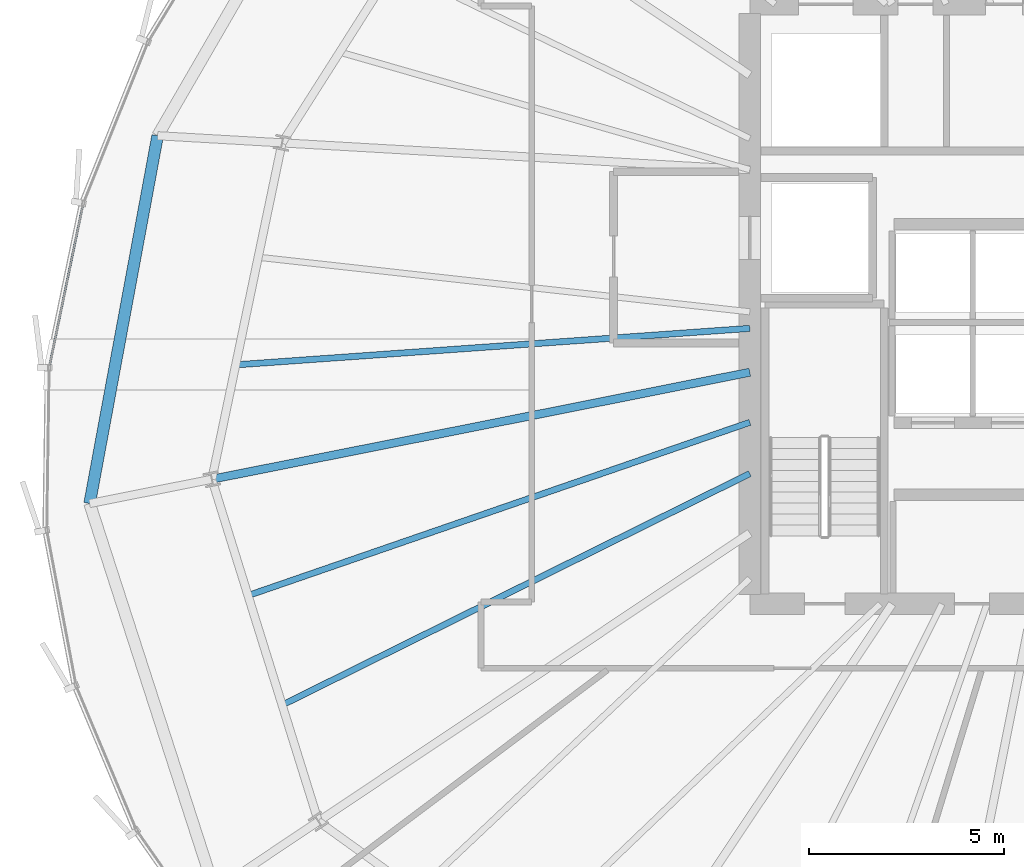
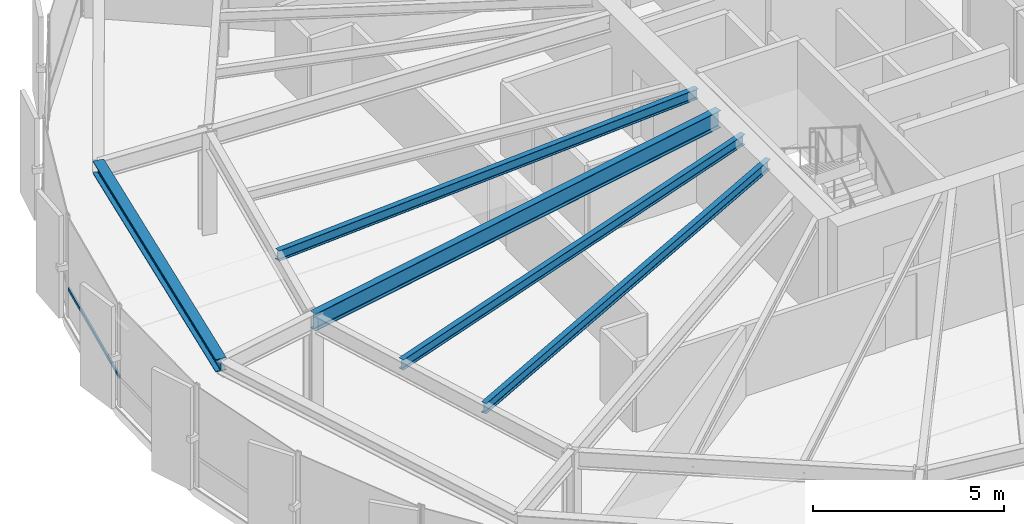
# One storey, part 9 of 36: 5 beams, 1 member, 1 element without a shape of its own.
"""IFC4 building model written with IfcOpenShell, lengths in metres."""

import ifcopenshell
import ifcopenshell.guid

model = None  # the IFC model being written
_history = None  # IfcOwnerHistory: only IFC2X3 demands one
_inside = {}  # id of a spatial element -> (the spatial element, [elements in it])
_under = {}  # id of a project, library or spatial element -> (it, [spatial elements below it])
_declared = {}  # id of a project -> (the project, [libraries it declares])
_typed = {}  # id of a type object -> (the type object, [elements of that type])
_made_of = {}  # id of a material, layer set ... -> (it, [elements and type objects made of it])


def new_model(schema):
    """Start an empty IFC model of exactly this schema.

    Asked for "IFC4X3", IfcOpenShell would pick the latest addendum, in which some entities
    have other attributes; the version numbers below select the first issue.
    IFC2X3 requires an IfcOwnerHistory on every rooted entity: one is made here for all.
    """
    global model, _history
    if schema == "IFC4X3":
        model = ifcopenshell.file(schema_version=(4, 3, 0, 0))
    else:
        model = ifcopenshell.file(schema=schema)
    _inside.clear()
    _under.clear()
    _declared.clear()
    _typed.clear()
    _made_of.clear()
    _history = None
    if model.schema == "IFC2X3":
        org = make("IfcOrganization", Name="unknown")
        user = make(
            "IfcPersonAndOrganization",
            ThePerson=make("IfcPerson", FamilyName="unknown"),
            TheOrganization=org,
        )
        app = make(
            "IfcApplication",
            ApplicationDeveloper=org,
            Version="unknown",
            ApplicationFullName="unknown",
            ApplicationIdentifier="unknown",
        )
        _history = make(
            "IfcOwnerHistory",
            OwningUser=user,
            OwningApplication=app,
            ChangeAction="ADDED",
            CreationDate=0,
        )
    return model


def make(cls, **values):
    """One entity of the class cls with the attributes given. An attribute that is None is left unset."""
    return model.create_entity(
        cls, **{name: value for name, value in values.items() if value is not None}
    )


def rooted(cls, **values):
    """An entity with a GlobalId (a new one), such as an element, a storey or a relation."""
    return make(cls, GlobalId=ifcopenshell.guid.new(), OwnerHistory=_history, **values)


def si_unit(unit_type, name, prefix=None):
    """IfcSIUnit, for example si_unit("LENGTHUNIT", "METRE", prefix="MILLI")."""
    return make("IfcSIUnit", UnitType=unit_type, Prefix=prefix, Name=name)


def assignment(units):
    """IfcUnitAssignment: the units of a project."""
    return None if units is None else make("IfcUnitAssignment", Units=units)


def point(xyz):
    """IfcCartesianPoint."""
    return None if xyz is None else make("IfcCartesianPoint", Coordinates=xyz)


def direction(xyz):
    """IfcDirection."""
    return None if xyz is None else make("IfcDirection", DirectionRatios=xyz)


def frame(location, z_axis=None, x_axis=None):
    """IfcAxis2Placement3D, a coordinate frame: its origin and axes. An axis left out is left unset."""
    return make(
        "IfcAxis2Placement3D",
        Location=point(location),
        Axis=direction(z_axis),
        RefDirection=direction(x_axis),
    )


def frame_2d(location, x_axis=None):
    """IfcAxis2Placement2D, a coordinate frame in the plane: its origin and x axis."""
    return make(
        "IfcAxis2Placement2D", Location=point(location), RefDirection=direction(x_axis)
    )


def origin():
    """The frame at (0, 0, 0) with its axes left unset."""
    return frame((0.0, 0.0, 0.0))


def origin_2d():
    """The frame at (0, 0) in the plane with its x axis left unset."""
    return frame_2d((0.0, 0.0))


def place(relative_to, where):
    """IfcLocalPlacement: puts the frame where relative to a parent placement (None: the world)."""
    return make(
        "IfcLocalPlacement", PlacementRelTo=relative_to, RelativePlacement=where
    )


def context(
    kind, dimensions, precision=None, world=None, true_north=None, identifier=None
):
    """IfcGeometricRepresentationContext, for example the 3D "Model" context."""
    return make(
        "IfcGeometricRepresentationContext",
        ContextIdentifier=identifier,
        ContextType=kind,
        CoordinateSpaceDimension=dimensions,
        Precision=precision,
        WorldCoordinateSystem=world,
        TrueNorth=true_north,
    )


def subcontext(parent, identifier, kind, view, scale=None):
    """IfcGeometricRepresentationSubContext, for example "Body" below "Model"."""
    return make(
        "IfcGeometricRepresentationSubContext",
        ContextIdentifier=identifier,
        ContextType=kind,
        ParentContext=parent,
        TargetScale=scale,
        TargetView=view,
    )


def project(units=None, contexts=None):
    """IfcProject with its units and contexts."""
    return rooted(
        "IfcProject",
        Name="project",
        RepresentationContexts=contexts,
        UnitsInContext=assignment(units),
    )


def spatial(cls, under=None, at=None, **own):
    """A site, building, storey or space (cls), placed at a placement, below another one or the project."""
    s = rooted(cls, ObjectPlacement=at, **own)
    if under is not None:
        _under.setdefault(under.id(), (under, []))[1].append(s)
    return s


def profile(cls, at=None, kind="AREA", **sizes):
    """A parametric profile (cls). Its sizes go by their IFC names, for example OverallWidth=200.0."""
    return make(cls, ProfileType=kind, Position=at, **sizes)


def hollow_rectangle(**sizes):
    """IfcRectangleHollowProfileDef."""
    return profile("IfcRectangleHollowProfileDef", **sizes)


def i_section(**sizes):
    """IfcIShapeProfileDef."""
    return profile("IfcIShapeProfileDef", **sizes)


def extrude(swept, where, along, depth):
    """IfcExtrudedAreaSolid: the profile swept, set in the frame where, extruded along a direction by depth."""
    return make(
        "IfcExtrudedAreaSolid",
        SweptArea=swept,
        Position=where,
        ExtrudedDirection=direction(along),
        Depth=depth,
    )


def shape(context_of_items, identifier, shape_type, items):
    """IfcShapeRepresentation: the items that make up one representation, for example the "Body"."""
    return make(
        "IfcShapeRepresentation",
        ContextOfItems=context_of_items,
        RepresentationIdentifier=identifier,
        RepresentationType=shape_type,
        Items=items,
    )


def source(mapping_origin, context_of_items, identifier, shape_type, items):
    """IfcRepresentationMap: a shape defined once, which mapped items show again and again."""
    return make(
        "IfcRepresentationMap",
        MappingOrigin=mapping_origin,
        MappedRepresentation=shape(context_of_items, identifier, shape_type, items),
    )


def transform(
    local_origin,
    x_axis=None,
    y_axis=None,
    z_axis=None,
    scale=None,
    scale2=None,
    scale3=None,
    uniform=True,
):
    """IfcCartesianTransformationOperator3D, or its non-uniform kind. x_axis, y_axis, z_axis: its Axis1, 2, 3."""
    if uniform:
        return make(
            "IfcCartesianTransformationOperator3D",
            Axis1=direction(x_axis),
            Axis2=direction(y_axis),
            LocalOrigin=point(local_origin),
            Scale=scale,
            Axis3=direction(z_axis),
        )
    return make(
        "IfcCartesianTransformationOperator3DnonUniform",
        Axis1=direction(x_axis),
        Axis2=direction(y_axis),
        LocalOrigin=point(local_origin),
        Scale=scale,
        Axis3=direction(z_axis),
        Scale2=scale2,
        Scale3=scale3,
    )


def mapped(mapping_source, mapping_target):
    """IfcMappedItem: shows the shape of a source again, moved by a transform."""
    return make(
        "IfcMappedItem", MappingSource=mapping_source, MappingTarget=mapping_target
    )


def material(Name=None, Category=None):
    """IfcMaterial."""
    return make("IfcMaterial", Name=Name, Category=Category)


def layer(
    of_material, thickness, ventilated=None, Name=None, Category=None, Priority=None
):
    """IfcMaterialLayer: one layer of a wall or slab, of a material (None: an air gap)."""
    return make(
        "IfcMaterialLayer",
        Material=of_material,
        LayerThickness=thickness,
        IsVentilated=ventilated,
        Name=Name,
        Category=Category,
        Priority=Priority,
    )


def layer_set(layers, Name=None):
    """IfcMaterialLayerSet."""
    return make("IfcMaterialLayerSet", MaterialLayers=layers, LayerSetName=Name)


def material_profile(
    of_material, cross_section, Name=None, Category=None, Priority=None
):
    """IfcMaterialProfile: a cross section and its material."""
    return make(
        "IfcMaterialProfile",
        Name=Name,
        Material=of_material,
        Profile=cross_section,
        Priority=Priority,
        Category=Category,
    )


def profile_set(profiles, Name=None, composite=None):
    """IfcMaterialProfileSet."""
    return make(
        "IfcMaterialProfileSet",
        Name=Name,
        MaterialProfiles=profiles,
        CompositeProfile=composite,
    )


def made_of(thing, what):
    """Note that an element or type object is made of a material, layer set ...; save() writes the relation."""
    if what is not None:
        _made_of.setdefault(what.id(), (what, []))[1].append(thing)
    return thing


def type_object(cls, material=None, **own):
    """A type object (cls), such as IfcWallType, which elements share."""
    return made_of(rooted(cls, **own), material)


def element(
    cls,
    number,
    at=None,
    inside=None,
    cuts=None,
    type_object=None,
    material=None,
    context=None,
    identifier="Body",
    shape_type=None,
    held_by="IfcProductDefinitionShape",
    body=None,
    shapes=None,
    **own,
):
    """One element of the class cls, such as IfcWall. Its Tag is "e" and its number.

    at: its placement. inside: the storey or other place that contains it. cuts: it is an
    opening in that element (IfcRelVoidsElement). A single representation is given by context,
    identifier, shape_type and body (its items); several are given by shapes. held_by: the class
    of the entity that holds the representations. save() writes the other relations.
    """
    e = rooted(cls, Tag="e%d" % number, ObjectPlacement=at, **own)
    if body is not None:
        shapes = [shape(context, identifier, shape_type, body)]
    if shapes is not None:
        e.Representation = make(held_by, Representations=shapes)
    if inside is not None:
        _inside.setdefault(inside.id(), (inside, []))[1].append(e)
    if cuts is not None:
        rooted(
            "IfcRelVoidsElement", RelatingBuildingElement=cuts, RelatedOpeningElement=e
        )
    if type_object is not None:
        _typed.setdefault(type_object.id(), (type_object, []))[1].append(e)
    return made_of(e, material)


def aggregate(whole, parts):
    """IfcRelAggregates: a whole, such as a stair, and the parts it consists of."""
    return rooted("IfcRelAggregates", RelatingObject=whole, RelatedObjects=parts)


def save(model, path):
    """Write the relations noted so far, then the file.

    IfcRelAggregates (storeys below a building ...), IfcRelContainedInSpatialStructure (elements
    in a storey), IfcRelDefinesByType, IfcRelAssociatesMaterial and IfcRelDeclares: one each for
    every whole, place, type object, material and project.
    """
    for whole, parts in _under.values():
        aggregate(whole, parts)
    for where, things in _inside.values():
        rooted(
            "IfcRelContainedInSpatialStructure",
            RelatedElements=things,
            RelatingStructure=where,
        )
    for kind, things in _typed.values():
        rooted("IfcRelDefinesByType", RelatedObjects=things, RelatingType=kind)
    for what, things in _made_of.values():
        rooted("IfcRelAssociatesMaterial", RelatedObjects=things, RelatingMaterial=what)
    for by, libraries in _declared.values():
        rooted("IfcRelDeclares", RelatingContext=by, RelatedDefinitions=libraries)
    model.write(path)


model = new_model("IFC4")

# Units and contexts
model_context = context("Model", 3, precision=1e-05, world=origin(), true_north=direction((0.0, 1.0)))
body_context = subcontext(model_context, "Body", "Model", "MODEL_VIEW")
ifc_project = project(units=[si_unit("LENGTHUNIT", "METRE"), si_unit("AREAUNIT", "SQUARE_METRE"), si_unit("VOLUMEUNIT", "CUBIC_METRE"), si_unit("PLANEANGLEUNIT", "RADIAN"), si_unit("MASSUNIT", "GRAM", prefix="KILO"), si_unit("THERMODYNAMICTEMPERATUREUNIT", "KELVIN")], contexts=[model_context])

# Site, building, storey
site_placement = place(None, origin())
site = spatial("IfcSite", under=ifc_project, at=site_placement, CompositionType="ELEMENT")
building_placement = place(site_placement, origin())
building = spatial("IfcBuilding", under=site, at=building_placement, Name="Kethvar Cultural Tower", CompositionType="ELEMENT")
storey_placement = place(building_placement, frame((0.0, 0.0, 150.10009765625)))
storey = spatial("IfcBuildingStorey", under=building, at=storey_placement, Name="L38", CompositionType="ELEMENT", Elevation=150.10009765625)

# Beams
ifc_material_1 = material(Name="Steel S355J2", Category="steel")
ifc_material_profile_1 = material_profile(ifc_material_1, i_section(OverallWidth=0.2099609375, OverallDepth=0.550048828125, WebThickness=0.010986328125, FlangeThickness=0.01708984375, FilletRadius=0.02392578125, at=origin_2d()), Name="Steel S355J2 — IPE550")
ifc_profile_set_1 = profile_set([ifc_material_profile_1], Name="Steel S355J2 — IPE550")
beam_type_1 = type_object("IfcBeamType", Name="BM-IPE550", PredefinedType="BEAM", material=ifc_profile_set_1)
shared_shape_1 = source(origin(), body_context, "Body", "SweptSolid", [
    extrude(i_section(OverallWidth=0.2099609375, OverallDepth=0.550048828125, WebThickness=0.010986328125, FlangeThickness=0.01708984375, FilletRadius=0.02392578125, at=origin_2d()), origin(), (0.0, 0.0, 1.0), 14.085205078125),
])
beam_1_placement = place(storey_placement, frame((38.0, 26.049560546875, 3.02294921875), z_axis=(-0.98078679373, -0.195082713854, 0.0), x_axis=(0.195082713854, -0.98078679373, 0.0)))
element("IfcBeam", 1, at=beam_1_placement, inside=storey, type_object=beam_type_1, Name="L38 Primary Radial Beam RB-09", PredefinedType="BEAM", context=body_context, shape_type="MappedRepresentation", body=[
    mapped(shared_shape_1, transform((0.0, 0.0, 0.0), scale=1.0)),
])
ifc_material_profile_2 = material_profile(ifc_material_1, i_section(OverallWidth=0.300048828125, OverallDepth=0.39990234375, WebThickness=0.013427734375, FlangeThickness=0.02392578125, FilletRadius=0.027099609375, at=origin_2d()), Name="Steel S355J2 — HEB400")
ifc_profile_set_2 = profile_set([ifc_material_profile_2], Name="Steel S355J2 — HEB400")
beam_type_2 = type_object("IfcBeamType", Name="BM-SP400", PredefinedType="SPANDREL", material=ifc_profile_set_2)
shared_shape_2 = source(origin(), body_context, "Body", "SweptSolid", [
    extrude(i_section(OverallWidth=0.300048828125, OverallDepth=0.39990234375, WebThickness=0.013427734375, FlangeThickness=0.02392578125, FilletRadius=0.027099609375, at=origin_2d()), origin(), (0.0, 0.0, 1.0), 9.605712890625),
])
beam_2_placement = place(storey_placement, frame((22.793701171875, 32.123046875, 3.097900390625), z_axis=(-0.1818526217, -0.983325797476, 0.0), x_axis=(0.983325797476, -0.1818526217, 0.0)))
element("IfcBeam", 2, at=beam_2_placement, inside=storey, type_object=beam_type_2, Name="L38 Perimeter Spandrel Beam SP-08", PredefinedType="SPANDREL", context=body_context, shape_type="MappedRepresentation", body=[
    mapped(shared_shape_2, transform((0.0, 0.0, 0.0), scale=1.0)),
])
ifc_material_profile_3 = material_profile(ifc_material_1, i_section(OverallWidth=0.159912109375, OverallDepth=0.330078125, WebThickness=0.007568359375, FlangeThickness=0.011474609375, FilletRadius=0.01806640625, at=origin_2d()), Name="Steel S355J2 — IPE330")
ifc_profile_set_3 = profile_set([ifc_material_profile_3], Name="Steel S355J2 — IPE330")
beam_type_3 = type_object("IfcBeamType", Name="BM-J330", PredefinedType="JOIST", material=ifc_profile_set_3)
shared_shape_3 = source(origin(), body_context, "Body", "SweptSolid", [
    extrude(i_section(OverallWidth=0.159912109375, OverallDepth=0.330078125, WebThickness=0.007568359375, FlangeThickness=0.011474609375, FilletRadius=0.01806640625, at=origin_2d()), origin(), (0.0, 0.0, 1.0), 13.234619140625),
])
beam_3_placement = place(storey_placement, frame((38.0, 27.175537109375, 3.1328125), z_axis=(-0.997490530945, -0.070800004767, 0.0), x_axis=(0.070800004767, -0.997490530945, 0.0)))
element("IfcBeam", 3, at=beam_3_placement, inside=storey, type_object=beam_type_3, Name="L38 Composite Floor Joist J-08B", PredefinedType="JOIST", context=body_context, shape_type="MappedRepresentation", body=[
    mapped(shared_shape_3, transform((0.0, 0.0, 0.0), scale=1.0)),
])
shared_shape_4 = source(origin(), body_context, "Body", "SweptSolid", [
    extrude(i_section(OverallWidth=0.159912109375, OverallDepth=0.330078125, WebThickness=0.007568359375, FlangeThickness=0.011474609375, FilletRadius=0.01806640625, at=origin_2d()), origin(), (0.0, 0.0, 1.0), 13.630615234375),
])
beam_4_placement = place(storey_placement, frame((38.0, 24.762451171875, 3.1328125), z_axis=(-0.945269577646, -0.326290400682, 0.0), x_axis=(0.326290400682, -0.945269577646, 0.0)))
element("IfcBeam", 4, at=beam_4_placement, inside=storey, type_object=beam_type_3, Name="L38 Composite Floor Joist J-09A", PredefinedType="JOIST", context=body_context, shape_type="MappedRepresentation", body=[
    mapped(shared_shape_4, transform((0.0, 0.0, 0.0), scale=1.0)),
])
shared_shape_5 = source(origin(), body_context, "Body", "SweptSolid", [
    extrude(i_section(OverallWidth=0.159912109375, OverallDepth=0.330078125, WebThickness=0.007568359375, FlangeThickness=0.011474609375, FilletRadius=0.01806640625, at=origin_2d()), origin(), (0.0, 0.0, 1.0), 13.39892578125),
])
beam_5_placement = place(storey_placement, frame((38.0, 23.44580078125, 3.1328125), z_axis=(-0.896292467417, -0.44346342899, 0.0), x_axis=(0.44346342899, -0.896292467417, 0.0)))
element("IfcBeam", 5, at=beam_5_placement, inside=storey, type_object=beam_type_3, Name="L38 Composite Floor Joist J-09B", PredefinedType="JOIST", context=body_context, shape_type="MappedRepresentation", body=[
    mapped(shared_shape_5, transform((0.0, 0.0, 0.0), scale=1.0)),
])

# Curtain wall, member
ifc_material_2 = material(Name="Aluminium 6063-T6", Category="aluminium")
ifc_layer = layer(ifc_material_2, 0.179931640625, Name="Aluminium 6063-T6", Category="aluminium")
ifc_layer_set = layer_set([ifc_layer], Name="Aluminium 6063-T6 (180 mm)")
curtain_wall_type = type_object("IfcCurtainWallType", Name="CW-SYS-04-Z34", PredefinedType="NOTDEFINED", material=ifc_layer_set)
curtain_wall_placement = place(storey_placement, origin())
curtain_wall = element("IfcCurtainWall", 6, at=curtain_wall_placement, inside=storey, type_object=curtain_wall_type, Name="L38 Curtain Wall Run 03", PredefinedType="NOTDEFINED")
ifc_material_profile_4 = material_profile(ifc_material_2, hollow_rectangle(XDim=0.050048828125, YDim=0.10009765625, WallThickness=0.00390625, at=origin_2d()), Name="Aluminium 6063-T6 — RHS100x50x4")
ifc_profile_set_4 = profile_set([ifc_material_profile_4], Name="Aluminium 6063-T6 — RHS100x50x4")
member_type = type_object("IfcMemberType", Name="CW-SYS-04-Z34-TRN", PredefinedType="USERDEFINED", material=ifc_profile_set_4)
shared_shape_6 = source(origin(), body_context, "Body", "SweptSolid", [
    extrude(hollow_rectangle(XDim=0.050048828125, YDim=0.10009765625, WallThickness=0.00390625, at=origin_2d()), origin(), (0.0, 0.0, 1.0), 4.244140625),
])
member_placement = place(storey_placement, frame((20.873046875, 30.34375, 0.949951171875), z_axis=(-0.202826246, -0.979214743523, 0.0), x_axis=(0.979214743523, -0.202826246, 0.0)))
member = element("IfcMember", 7, at=member_placement, type_object=member_type, Name="CW-L38-R03 Transom 3", ObjectType="TRANSOM", PredefinedType="USERDEFINED", context=body_context, shape_type="MappedRepresentation", body=[
    mapped(shared_shape_6, transform((0.0, 0.0, 0.0), scale=1.0)),
])
aggregate(curtain_wall, [member])

save(model, "model.ifc")
